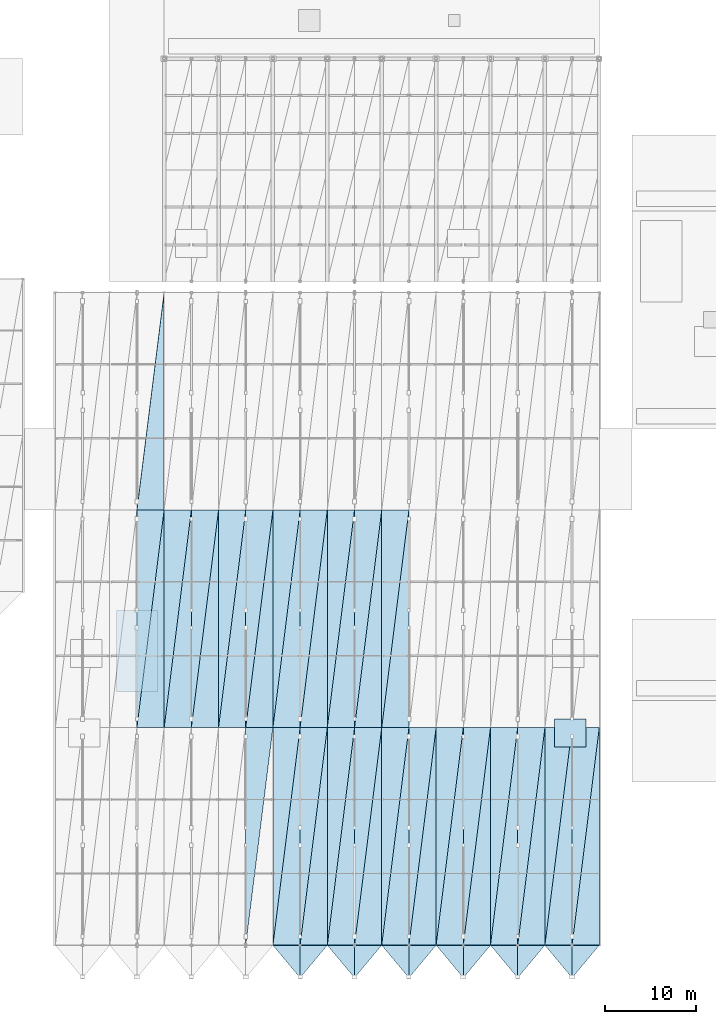
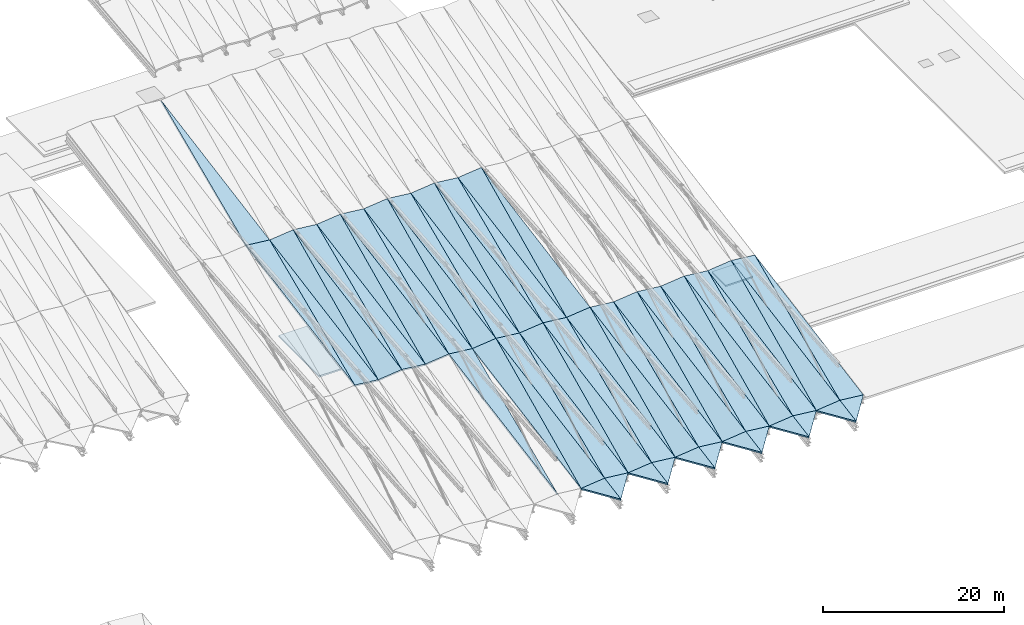
# One storey, part 20 of 52: 60 slabs.
"""IFC4 building model written with IfcOpenShell, lengths in metres."""

from ifc_helpers import new_model, si_unit, direction, frame, origin, place, context, subcontext, project, spatial, polyline, outline, extrude, material, layer, layer_set, type_object, element, save


model = new_model("IFC4")

# Units and contexts
model_context = context("Model", 3, precision=1e-05, world=origin(), true_north=direction((0.0, 1.0)))
body_context = subcontext(model_context, "Body", "Model", "MODEL_VIEW")
ifc_project = project(units=[si_unit("LENGTHUNIT", "METRE"), si_unit("AREAUNIT", "SQUARE_METRE"), si_unit("VOLUMEUNIT", "CUBIC_METRE"), si_unit("PLANEANGLEUNIT", "RADIAN"), si_unit("MASSUNIT", "GRAM", prefix="KILO")], contexts=[model_context])

# Site, building, storey
site_placement = place(None, origin())
site = spatial("IfcSite", under=ifc_project, at=site_placement, CompositionType="ELEMENT")
building_placement = place(site_placement, origin())
building = spatial("IfcBuilding", under=site, at=building_placement, Name="Vaelkrest Opera House", CompositionType="ELEMENT")
storey_placement = place(building_placement, frame((0.0, 0.0, 41.39990234375)))
storey = spatial("IfcBuildingStorey", under=building, at=storey_placement, Name="ROOF", CompositionType="ELEMENT", Elevation=41.39990234375)

# Slabs
ifc_material = material(Name="Concrete C40/50", Category="concrete")
ifc_layer_1 = layer(ifc_material, 0.235107421875)
ifc_layer_set_1 = layer_set([ifc_layer_1], Name="Concrete C40/50")
slab_type_1 = type_object("IfcSlabType", Name="RS01", PredefinedType="ROOF", material=ifc_layer_set_1)
slab_1_placement = place(storey_placement, frame((-21.0, -31.800048828125, -11.583984375), z_axis=(0.105709410569, -0.175053827978, 0.978867548664), x_axis=(0.994219425712, 0.0, -0.107367283359)))
element("IfcSlab", 1, at=slab_1_placement, inside=storey, type_object=slab_type_1, Name="Pleated roof facet V1 2-2EL", PredefinedType="ROOF", context=body_context, shape_type="SweptSolid", body=[
    extrude(outline(polyline([(0.0, 0.0), (3.0174425508234095, 0.0), (2.55662300945172, 24.376399288817264), (0.0, 0.0)])), origin(), (0.0, 0.0, -1.0), 0.235107421875),
])
slab_2_placement = place(storey_placement, frame((-21.0, -31.800048828125, -11.583984375), z_axis=(0.105709410569, -0.175053827978, 0.978867548664), x_axis=(0.122398504974, 0.979188039796, 0.161893139758)))
element("IfcSlab", 2, at=slab_2_placement, inside=storey, type_object=slab_type_1, Name="Pleated roof facet V1 2-2EU", PredefinedType="ROOF", context=body_context, shape_type="SweptSolid", body=[
    extrude(outline(polyline([(0.0, 0.0), (24.51010329436229, -3.3306690738754696e-16), (24.195357046152544, 3.0009822303301914), (0.0, 0.0)])), origin(), (0.0, 0.0, -1.0), 0.235107421875),
])
slab_3_placement = place(storey_placement, frame((-21.0, -7.800048828125, -7.2919921875), z_axis=(0.105709410569, -0.175053827978, 0.978867548664), x_axis=(0.994219425712, 0.0, -0.107367283359)))
element("IfcSlab", 3, at=slab_3_placement, inside=storey, type_object=slab_type_1, Name="Pleated roof facet V1 2-3EL", PredefinedType="ROOF", context=body_context, shape_type="SweptSolid", body=[
    extrude(outline(polyline([(0.0, 0.0), (3.0174425508234095, 0.0), (2.55662300945172, 24.376399288817264), (0.0, 0.0)])), origin(), (0.0, 0.0, -1.0), 0.235107421875),
])
slab_4_placement = place(storey_placement, frame((-18.0, -31.800048828125, -11.907958984375), z_axis=(-0.105709410569, -0.175053827978, 0.978867548664), x_axis=(0.994219425712, 0.0, 0.107367283359)))
element("IfcSlab", 4, at=slab_4_placement, inside=storey, type_object=slab_type_1, Name="Pleated roof facet V1 3-2WL", PredefinedType="ROOF", context=body_context, shape_type="SweptSolid", body=[
    extrude(outline(polyline([(0.0, 0.0), (3.0174425508234095, 0.0), (3.4782620921950986, 24.376399288817268), (0.0, 0.0)])), origin(), (0.0, 0.0, -1.0), 0.235107421875),
])
slab_5_placement = place(storey_placement, frame((-18.0, -31.800048828125, -11.907958984375), z_axis=(-0.105709410569, -0.175053827978, 0.978867548664), x_axis=(0.121835797394, 0.974686379149, 0.187463331813)))
element("IfcSlab", 5, at=slab_5_placement, inside=storey, type_object=slab_type_1, Name="Pleated roof facet V1 3-2WU", PredefinedType="ROOF", context=body_context, shape_type="SweptSolid", body=[
    extrude(outline(polyline([(0.0, 0.0), (24.623305007042667, 4.440892098500626e-16), (24.197064255165383, 2.9871856937523606), (0.0, 0.0)])), origin(), (0.0, 0.0, -1.0), 0.235107421875),
])
slab_6_placement = place(storey_placement, frame((-15.0, -31.800048828125, -11.583984375), z_axis=(0.105709410569, -0.175053827978, 0.978867548664), x_axis=(0.994219425712, 0.0, -0.107367283359)))
element("IfcSlab", 6, at=slab_6_placement, inside=storey, type_object=slab_type_1, Name="Pleated roof facet V1 3-2EL", PredefinedType="ROOF", context=body_context, shape_type="SweptSolid", body=[
    extrude(outline(polyline([(0.0, 0.0), (3.0174425508234095, 0.0), (2.55662300945172, 24.376399288817264), (0.0, 0.0)])), origin(), (0.0, 0.0, -1.0), 0.235107421875),
])
for number, where, z_axis, x_axis, name in (
    (7, (-15.0, -31.800048828125, -11.583984375), (0.105709410569, -0.175053827978, 0.978867548664), (0.122398504974, 0.979188039796, 0.161893139758), "Pleated roof facet V1 3-2EU"),
    (8, (-9.0, -55.800048828125, -15.8759765625), (0.105709410569, -0.175053827978, 0.978867548664), (0.122398504974, 0.979188039796, 0.161893139758), "Pleated roof facet V1 4-1EU"),
):
    element("IfcSlab", number, at=place(storey_placement, frame(where, z_axis=z_axis, x_axis=x_axis)), inside=storey, type_object=slab_type_1, Name=name, PredefinedType="ROOF", context=body_context, shape_type="SweptSolid", body=[
        extrude(outline(polyline([(0.0, 0.0), (24.51010329436229, -3.3306690738754696e-16), (24.195357046152544, 3.0009822303301914), (0.0, 0.0)])), origin(), (0.0, 0.0, -1.0), 0.235107421875),
    ])
slab_7_placement = place(storey_placement, frame((-12.0, -31.800048828125, -11.907958984375), z_axis=(-0.105709410569, -0.175053827978, 0.978867548664), x_axis=(0.994219425712, 0.0, 0.107367283359)))
element("IfcSlab", 9, at=slab_7_placement, inside=storey, type_object=slab_type_1, Name="Pleated roof facet V1 4-2WL", PredefinedType="ROOF", context=body_context, shape_type="SweptSolid", body=[
    extrude(outline(polyline([(0.0, 0.0), (3.0174425508234095, 0.0), (3.4782620921950986, 24.376399288817268), (0.0, 0.0)])), origin(), (0.0, 0.0, -1.0), 0.235107421875),
])
slab_8_placement = place(storey_placement, frame((-12.0, -31.800048828125, -11.907958984375), z_axis=(-0.105709410569, -0.175053827978, 0.978867548664), x_axis=(0.121835797394, 0.974686379149, 0.187463331813)))
element("IfcSlab", 10, at=slab_8_placement, inside=storey, type_object=slab_type_1, Name="Pleated roof facet V1 4-2WU", PredefinedType="ROOF", context=body_context, shape_type="SweptSolid", body=[
    extrude(outline(polyline([(0.0, 0.0), (24.623305007042667, 4.440892098500626e-16), (24.197064255165383, 2.9871856937523606), (0.0, 0.0)])), origin(), (0.0, 0.0, -1.0), 0.235107421875),
])
slab_9_placement = place(storey_placement, frame((-9.0, -31.800048828125, -11.583984375), z_axis=(0.105709410569, -0.175053827978, 0.978867548664), x_axis=(0.994219425712, 0.0, -0.107367283359)))
element("IfcSlab", 11, at=slab_9_placement, inside=storey, type_object=slab_type_1, Name="Pleated roof facet V1 4-2EL", PredefinedType="ROOF", context=body_context, shape_type="SweptSolid", body=[
    extrude(outline(polyline([(0.0, 0.0), (3.0174425508234095, 0.0), (2.55662300945172, 24.376399288817264), (0.0, 0.0)])), origin(), (0.0, 0.0, -1.0), 0.235107421875),
])
slab_10_placement = place(storey_placement, frame((-9.0, -31.800048828125, -11.583984375), z_axis=(0.105709410569, -0.175053827978, 0.978867548664), x_axis=(0.122398504974, 0.979188039796, 0.161893139758)))
element("IfcSlab", 12, at=slab_10_placement, inside=storey, type_object=slab_type_1, Name="Pleated roof facet V1 4-2EU", PredefinedType="ROOF", context=body_context, shape_type="SweptSolid", body=[
    extrude(outline(polyline([(0.0, 0.0), (24.51010329436229, -3.3306690738754696e-16), (24.195357046152544, 3.0009822303301914), (0.0, 0.0)])), origin(), (0.0, 0.0, -1.0), 0.235107421875),
])
slab_11_placement = place(storey_placement, frame((-6.0, -55.800048828125, -16.199951171875), z_axis=(-0.105708050026, -0.175125083638, 0.978854950052), x_axis=(0.638711635196, -0.766422775144, -0.068143795064)))
element("IfcSlab", 13, at=slab_11_placement, inside=storey, type_object=slab_type_1, Name="Sawtooth eave facet V1 bay 5W", PredefinedType="ROOF", context=body_context, shape_type="SweptSolid", body=[
    extrude(outline(polyline([(0.0, 0.0), (4.696955299833145, -8.326672684688674e-17), (1.8940580462015932, 2.3489367094791396), (0.0, 0.0)])), origin(), (0.0, 0.0, -1.0), 0.235107421875),
])
slab_12_placement = place(storey_placement, frame((-3.0, -55.800048828125, -15.8759765625), z_axis=(0.105708050026, -0.175125083638, 0.978854950052), x_axis=(0.0, -0.984370170934, -0.176111801351)))
element("IfcSlab", 14, at=slab_12_placement, inside=storey, type_object=slab_type_1, Name="Sawtooth eave facet V1 bay 5E", PredefinedType="ROOF", context=body_context, shape_type="SweptSolid", body=[
    extrude(outline(polyline([(0.0, 0.0), (3.657011987887651, 0.0), (0.05705575204909795, 3.0169030790991282), (0.0, 0.0)])), origin(), (0.0, 0.0, -1.0), 0.235107421875),
])
slab_13_placement = place(storey_placement, frame((-6.0, -55.800048828125, -16.199951171875), z_axis=(-0.105709410569, -0.175053827978, 0.978867548664), x_axis=(0.994219425712, 0.0, 0.107367283359)))
element("IfcSlab", 15, at=slab_13_placement, inside=storey, type_object=slab_type_1, Name="Pleated roof facet V1 5-1WL", PredefinedType="ROOF", context=body_context, shape_type="SweptSolid", body=[
    extrude(outline(polyline([(0.0, 0.0), (3.0174425508234095, 0.0), (3.4782620921950986, 24.376399288817268), (0.0, 0.0)])), origin(), (0.0, 0.0, -1.0), 0.235107421875),
])
slab_14_placement = place(storey_placement, frame((-6.0, -55.800048828125, -16.199951171875), z_axis=(-0.105709410569, -0.175053827978, 0.978867548664), x_axis=(0.121835797394, 0.974686379149, 0.187463331813)))
element("IfcSlab", 16, at=slab_14_placement, inside=storey, type_object=slab_type_1, Name="Pleated roof facet V1 5-1WU", PredefinedType="ROOF", context=body_context, shape_type="SweptSolid", body=[
    extrude(outline(polyline([(0.0, 0.0), (24.623305007042667, 4.440892098500626e-16), (24.197064255165383, 2.9871856937523606), (0.0, 0.0)])), origin(), (0.0, 0.0, -1.0), 0.235107421875),
])
slab_15_placement = place(storey_placement, frame((-3.0, -55.800048828125, -15.8759765625), z_axis=(0.105709410569, -0.175053827978, 0.978867548664), x_axis=(0.994219425712, 0.0, -0.107367283359)))
element("IfcSlab", 17, at=slab_15_placement, inside=storey, type_object=slab_type_1, Name="Pleated roof facet V1 5-1EL", PredefinedType="ROOF", context=body_context, shape_type="SweptSolid", body=[
    extrude(outline(polyline([(0.0, 0.0), (3.0174425508234095, 0.0), (2.55662300945172, 24.376399288817264), (0.0, 0.0)])), origin(), (0.0, 0.0, -1.0), 0.235107421875),
])
slab_16_placement = place(storey_placement, frame((-3.0, -55.800048828125, -15.8759765625), z_axis=(0.105709410569, -0.175053827978, 0.978867548664), x_axis=(0.122398504974, 0.979188039796, 0.161893139758)))
element("IfcSlab", 18, at=slab_16_placement, inside=storey, type_object=slab_type_1, Name="Pleated roof facet V1 5-1EU", PredefinedType="ROOF", context=body_context, shape_type="SweptSolid", body=[
    extrude(outline(polyline([(0.0, 0.0), (24.51010329436229, -3.3306690738754696e-16), (24.195357046152544, 3.0009822303301914), (0.0, 0.0)])), origin(), (0.0, 0.0, -1.0), 0.235107421875),
])
slab_17_placement = place(storey_placement, frame((-6.0, -31.800048828125, -11.907958984375), z_axis=(-0.105709410569, -0.175053827978, 0.978867548664), x_axis=(0.994219425712, 0.0, 0.107367283359)))
element("IfcSlab", 19, at=slab_17_placement, inside=storey, type_object=slab_type_1, Name="Pleated roof facet V1 5-2WL", PredefinedType="ROOF", context=body_context, shape_type="SweptSolid", body=[
    extrude(outline(polyline([(0.0, 0.0), (3.0174425508234095, 0.0), (3.4782620921950986, 24.376399288817268), (0.0, 0.0)])), origin(), (0.0, 0.0, -1.0), 0.235107421875),
])
slab_18_placement = place(storey_placement, frame((-6.0, -31.800048828125, -11.907958984375), z_axis=(-0.105709410569, -0.175053827978, 0.978867548664), x_axis=(0.121835797394, 0.974686379149, 0.187463331813)))
element("IfcSlab", 20, at=slab_18_placement, inside=storey, type_object=slab_type_1, Name="Pleated roof facet V1 5-2WU", PredefinedType="ROOF", context=body_context, shape_type="SweptSolid", body=[
    extrude(outline(polyline([(0.0, 0.0), (24.623305007042667, 4.440892098500626e-16), (24.197064255165383, 2.9871856937523606), (0.0, 0.0)])), origin(), (0.0, 0.0, -1.0), 0.235107421875),
])
slab_19_placement = place(storey_placement, frame((-3.0, -31.800048828125, -11.583984375), z_axis=(0.105709410569, -0.175053827978, 0.978867548664), x_axis=(0.994219425712, 0.0, -0.107367283359)))
element("IfcSlab", 21, at=slab_19_placement, inside=storey, type_object=slab_type_1, Name="Pleated roof facet V1 5-2EL", PredefinedType="ROOF", context=body_context, shape_type="SweptSolid", body=[
    extrude(outline(polyline([(0.0, 0.0), (3.0174425508234095, 0.0), (2.55662300945172, 24.376399288817264), (0.0, 0.0)])), origin(), (0.0, 0.0, -1.0), 0.235107421875),
])
slab_20_placement = place(storey_placement, frame((-3.0, -31.800048828125, -11.583984375), z_axis=(0.105709410569, -0.175053827978, 0.978867548664), x_axis=(0.122398504974, 0.979188039796, 0.161893139758)))
element("IfcSlab", 22, at=slab_20_placement, inside=storey, type_object=slab_type_1, Name="Pleated roof facet V1 5-2EU", PredefinedType="ROOF", context=body_context, shape_type="SweptSolid", body=[
    extrude(outline(polyline([(0.0, 0.0), (24.51010329436229, -3.3306690738754696e-16), (24.195357046152544, 3.0009822303301914), (0.0, 0.0)])), origin(), (0.0, 0.0, -1.0), 0.235107421875),
])
slab_21_placement = place(storey_placement, frame((0.0, -55.800048828125, -16.199951171875), z_axis=(-0.105708050026, -0.175125083638, 0.978854950052), x_axis=(0.638711635196, -0.766422775144, -0.068143795064)))
element("IfcSlab", 23, at=slab_21_placement, inside=storey, type_object=slab_type_1, Name="Sawtooth eave facet V1 bay 6W", PredefinedType="ROOF", context=body_context, shape_type="SweptSolid", body=[
    extrude(outline(polyline([(0.0, 0.0), (4.696955299833145, -8.326672684688674e-17), (1.8940580462015932, 2.3489367094791396), (0.0, 0.0)])), origin(), (0.0, 0.0, -1.0), 0.235107421875),
])
slab_22_placement = place(storey_placement, frame((3.0, -55.800048828125, -15.8759765625), z_axis=(0.105708050026, -0.175125083638, 0.978854950052), x_axis=(0.0, -0.984370170934, -0.176111801351)))
element("IfcSlab", 24, at=slab_22_placement, inside=storey, type_object=slab_type_1, Name="Sawtooth eave facet V1 bay 6E", PredefinedType="ROOF", context=body_context, shape_type="SweptSolid", body=[
    extrude(outline(polyline([(0.0, 0.0), (3.657011987887651, 0.0), (0.05705575204909795, 3.0169030790991282), (0.0, 0.0)])), origin(), (0.0, 0.0, -1.0), 0.235107421875),
])
slab_23_placement = place(storey_placement, frame((0.0, -55.800048828125, -16.199951171875), z_axis=(-0.105709410569, -0.175053827978, 0.978867548664), x_axis=(0.994219425712, 0.0, 0.107367283359)))
element("IfcSlab", 25, at=slab_23_placement, inside=storey, type_object=slab_type_1, Name="Pleated roof facet V1 6-1WL", PredefinedType="ROOF", context=body_context, shape_type="SweptSolid", body=[
    extrude(outline(polyline([(0.0, 0.0), (3.0174425508234095, 0.0), (3.4782620921950986, 24.376399288817268), (0.0, 0.0)])), origin(), (0.0, 0.0, -1.0), 0.235107421875),
])
slab_24_placement = place(storey_placement, frame((0.0, -55.800048828125, -16.199951171875), z_axis=(-0.105709410569, -0.175053827978, 0.978867548664), x_axis=(0.121835797394, 0.974686379149, 0.187463331813)))
element("IfcSlab", 26, at=slab_24_placement, inside=storey, type_object=slab_type_1, Name="Pleated roof facet V1 6-1WU", PredefinedType="ROOF", context=body_context, shape_type="SweptSolid", body=[
    extrude(outline(polyline([(0.0, 0.0), (24.623305007042667, 4.440892098500626e-16), (24.197064255165383, 2.9871856937523606), (0.0, 0.0)])), origin(), (0.0, 0.0, -1.0), 0.235107421875),
])
slab_25_placement = place(storey_placement, frame((3.0, -55.800048828125, -15.8759765625), z_axis=(0.105709410569, -0.175053827978, 0.978867548664), x_axis=(0.994219425712, 0.0, -0.107367283359)))
element("IfcSlab", 27, at=slab_25_placement, inside=storey, type_object=slab_type_1, Name="Pleated roof facet V1 6-1EL", PredefinedType="ROOF", context=body_context, shape_type="SweptSolid", body=[
    extrude(outline(polyline([(0.0, 0.0), (3.0174425508234095, 0.0), (2.55662300945172, 24.376399288817264), (0.0, 0.0)])), origin(), (0.0, 0.0, -1.0), 0.235107421875),
])
slab_26_placement = place(storey_placement, frame((3.0, -55.800048828125, -15.8759765625), z_axis=(0.105709410569, -0.175053827978, 0.978867548664), x_axis=(0.122398504974, 0.979188039796, 0.161893139758)))
element("IfcSlab", 28, at=slab_26_placement, inside=storey, type_object=slab_type_1, Name="Pleated roof facet V1 6-1EU", PredefinedType="ROOF", context=body_context, shape_type="SweptSolid", body=[
    extrude(outline(polyline([(0.0, 0.0), (24.51010329436229, -3.3306690738754696e-16), (24.195357046152544, 3.0009822303301914), (0.0, 0.0)])), origin(), (0.0, 0.0, -1.0), 0.235107421875),
])
slab_27_placement = place(storey_placement, frame((0.0, -31.800048828125, -11.907958984375), z_axis=(-0.105709410569, -0.175053827978, 0.978867548664), x_axis=(0.994219425712, 0.0, 0.107367283359)))
element("IfcSlab", 29, at=slab_27_placement, inside=storey, type_object=slab_type_1, Name="Pleated roof facet V1 6-2WL", PredefinedType="ROOF", context=body_context, shape_type="SweptSolid", body=[
    extrude(outline(polyline([(0.0, 0.0), (3.0174425508234095, 0.0), (3.4782620921950986, 24.376399288817268), (0.0, 0.0)])), origin(), (0.0, 0.0, -1.0), 0.235107421875),
])
slab_28_placement = place(storey_placement, frame((0.0, -31.800048828125, -11.907958984375), z_axis=(-0.105709410569, -0.175053827978, 0.978867548664), x_axis=(0.121835797394, 0.974686379149, 0.187463331813)))
element("IfcSlab", 30, at=slab_28_placement, inside=storey, type_object=slab_type_1, Name="Pleated roof facet V1 6-2WU", PredefinedType="ROOF", context=body_context, shape_type="SweptSolid", body=[
    extrude(outline(polyline([(0.0, 0.0), (24.623305007042667, 4.440892098500626e-16), (24.197064255165383, 2.9871856937523606), (0.0, 0.0)])), origin(), (0.0, 0.0, -1.0), 0.235107421875),
])
slab_29_placement = place(storey_placement, frame((3.0, -31.800048828125, -11.583984375), z_axis=(0.105709410569, -0.175053827978, 0.978867548664), x_axis=(0.994219425712, 0.0, -0.107367283359)))
element("IfcSlab", 31, at=slab_29_placement, inside=storey, type_object=slab_type_1, Name="Pleated roof facet V1 6-2EL", PredefinedType="ROOF", context=body_context, shape_type="SweptSolid", body=[
    extrude(outline(polyline([(0.0, 0.0), (3.0174425508234095, 0.0), (2.55662300945172, 24.376399288817264), (0.0, 0.0)])), origin(), (0.0, 0.0, -1.0), 0.235107421875),
])
slab_30_placement = place(storey_placement, frame((3.0, -31.800048828125, -11.583984375), z_axis=(0.105709410569, -0.175053827978, 0.978867548664), x_axis=(0.122398504974, 0.979188039796, 0.161893139758)))
element("IfcSlab", 32, at=slab_30_placement, inside=storey, type_object=slab_type_1, Name="Pleated roof facet V1 6-2EU", PredefinedType="ROOF", context=body_context, shape_type="SweptSolid", body=[
    extrude(outline(polyline([(0.0, 0.0), (24.51010329436229, -3.3306690738754696e-16), (24.195357046152544, 3.0009822303301914), (0.0, 0.0)])), origin(), (0.0, 0.0, -1.0), 0.235107421875),
])
slab_31_placement = place(storey_placement, frame((6.0, -55.800048828125, -16.199951171875), z_axis=(-0.105708050026, -0.175125083638, 0.978854950052), x_axis=(0.638711635196, -0.766422775144, -0.068143795064)))
element("IfcSlab", 33, at=slab_31_placement, inside=storey, type_object=slab_type_1, Name="Sawtooth eave facet V1 bay 7W", PredefinedType="ROOF", context=body_context, shape_type="SweptSolid", body=[
    extrude(outline(polyline([(0.0, 0.0), (4.696955299833145, -8.326672684688674e-17), (1.8940580462015932, 2.3489367094791396), (0.0, 0.0)])), origin(), (0.0, 0.0, -1.0), 0.235107421875),
])
slab_32_placement = place(storey_placement, frame((9.0, -55.800048828125, -15.8759765625), z_axis=(0.105708050026, -0.175125083638, 0.978854950052), x_axis=(0.0, -0.984370170934, -0.176111801351)))
element("IfcSlab", 34, at=slab_32_placement, inside=storey, type_object=slab_type_1, Name="Sawtooth eave facet V1 bay 7E", PredefinedType="ROOF", context=body_context, shape_type="SweptSolid", body=[
    extrude(outline(polyline([(0.0, 0.0), (3.657011987887651, 0.0), (0.05705575204909795, 3.0169030790991282), (0.0, 0.0)])), origin(), (0.0, 0.0, -1.0), 0.235107421875),
])
slab_33_placement = place(storey_placement, frame((6.0, -55.800048828125, -16.199951171875), z_axis=(-0.105709410569, -0.175053827978, 0.978867548664), x_axis=(0.994219425712, 0.0, 0.107367283359)))
element("IfcSlab", 35, at=slab_33_placement, inside=storey, type_object=slab_type_1, Name="Pleated roof facet V1 7-1WL", PredefinedType="ROOF", context=body_context, shape_type="SweptSolid", body=[
    extrude(outline(polyline([(0.0, 0.0), (3.0174425508234095, 0.0), (3.4782620921950986, 24.376399288817268), (0.0, 0.0)])), origin(), (0.0, 0.0, -1.0), 0.235107421875),
])
slab_34_placement = place(storey_placement, frame((6.0, -55.800048828125, -16.199951171875), z_axis=(-0.105709410569, -0.175053827978, 0.978867548664), x_axis=(0.121835797394, 0.974686379149, 0.187463331813)))
element("IfcSlab", 36, at=slab_34_placement, inside=storey, type_object=slab_type_1, Name="Pleated roof facet V1 7-1WU", PredefinedType="ROOF", context=body_context, shape_type="SweptSolid", body=[
    extrude(outline(polyline([(0.0, 0.0), (24.623305007042667, 4.440892098500626e-16), (24.197064255165383, 2.9871856937523606), (0.0, 0.0)])), origin(), (0.0, 0.0, -1.0), 0.235107421875),
])
slab_35_placement = place(storey_placement, frame((9.0, -55.800048828125, -15.8759765625), z_axis=(0.105709410569, -0.175053827978, 0.978867548664), x_axis=(0.994219425712, 0.0, -0.107367283359)))
element("IfcSlab", 37, at=slab_35_placement, inside=storey, type_object=slab_type_1, Name="Pleated roof facet V1 7-1EL", PredefinedType="ROOF", context=body_context, shape_type="SweptSolid", body=[
    extrude(outline(polyline([(0.0, 0.0), (3.0174425508234095, 0.0), (2.55662300945172, 24.376399288817264), (0.0, 0.0)])), origin(), (0.0, 0.0, -1.0), 0.235107421875),
])
slab_36_placement = place(storey_placement, frame((9.0, -55.800048828125, -15.8759765625), z_axis=(0.105709410569, -0.175053827978, 0.978867548664), x_axis=(0.122398504974, 0.979188039796, 0.161893139758)))
element("IfcSlab", 38, at=slab_36_placement, inside=storey, type_object=slab_type_1, Name="Pleated roof facet V1 7-1EU", PredefinedType="ROOF", context=body_context, shape_type="SweptSolid", body=[
    extrude(outline(polyline([(0.0, 0.0), (24.51010329436229, -3.3306690738754696e-16), (24.195357046152544, 3.0009822303301914), (0.0, 0.0)])), origin(), (0.0, 0.0, -1.0), 0.235107421875),
])
slab_37_placement = place(storey_placement, frame((6.0, -31.800048828125, -11.907958984375), z_axis=(-0.105709410569, -0.175053827978, 0.978867548664), x_axis=(0.994219425712, 0.0, 0.107367283359)))
element("IfcSlab", 39, at=slab_37_placement, inside=storey, type_object=slab_type_1, Name="Pleated roof facet V1 7-2WL", PredefinedType="ROOF", context=body_context, shape_type="SweptSolid", body=[
    extrude(outline(polyline([(0.0, 0.0), (3.0174425508234095, 0.0), (3.4782620921950986, 24.376399288817268), (0.0, 0.0)])), origin(), (0.0, 0.0, -1.0), 0.235107421875),
])
slab_38_placement = place(storey_placement, frame((6.0, -31.800048828125, -11.907958984375), z_axis=(-0.105709410569, -0.175053827978, 0.978867548664), x_axis=(0.121835797394, 0.974686379149, 0.187463331813)))
element("IfcSlab", 40, at=slab_38_placement, inside=storey, type_object=slab_type_1, Name="Pleated roof facet V1 7-2WU", PredefinedType="ROOF", context=body_context, shape_type="SweptSolid", body=[
    extrude(outline(polyline([(0.0, 0.0), (24.623305007042667, 4.440892098500626e-16), (24.197064255165383, 2.9871856937523606), (0.0, 0.0)])), origin(), (0.0, 0.0, -1.0), 0.235107421875),
])
slab_39_placement = place(storey_placement, frame((12.0, -55.800048828125, -16.199951171875), z_axis=(-0.105708050026, -0.175125083638, 0.978854950052), x_axis=(0.638711635196, -0.766422775144, -0.068143795064)))
element("IfcSlab", 41, at=slab_39_placement, inside=storey, type_object=slab_type_1, Name="Sawtooth eave facet V1 bay 8W", PredefinedType="ROOF", context=body_context, shape_type="SweptSolid", body=[
    extrude(outline(polyline([(0.0, 0.0), (4.696955299833145, -8.326672684688674e-17), (1.8940580462015932, 2.3489367094791396), (0.0, 0.0)])), origin(), (0.0, 0.0, -1.0), 0.235107421875),
])
slab_40_placement = place(storey_placement, frame((15.0, -55.800048828125, -15.8759765625), z_axis=(0.105708050026, -0.175125083638, 0.978854950052), x_axis=(0.0, -0.984370170934, -0.176111801351)))
element("IfcSlab", 42, at=slab_40_placement, inside=storey, type_object=slab_type_1, Name="Sawtooth eave facet V1 bay 8E", PredefinedType="ROOF", context=body_context, shape_type="SweptSolid", body=[
    extrude(outline(polyline([(0.0, 0.0), (3.657011987887651, 0.0), (0.05705575204909795, 3.0169030790991282), (0.0, 0.0)])), origin(), (0.0, 0.0, -1.0), 0.235107421875),
])
slab_41_placement = place(storey_placement, frame((12.0, -55.800048828125, -16.199951171875), z_axis=(-0.105709410569, -0.175053827978, 0.978867548664), x_axis=(0.994219425712, 0.0, 0.107367283359)))
element("IfcSlab", 43, at=slab_41_placement, inside=storey, type_object=slab_type_1, Name="Pleated roof facet V1 8-1WL", PredefinedType="ROOF", context=body_context, shape_type="SweptSolid", body=[
    extrude(outline(polyline([(0.0, 0.0), (3.0174425508234095, 0.0), (3.4782620921950986, 24.376399288817268), (0.0, 0.0)])), origin(), (0.0, 0.0, -1.0), 0.235107421875),
])
slab_42_placement = place(storey_placement, frame((12.0, -55.800048828125, -16.199951171875), z_axis=(-0.105709410569, -0.175053827978, 0.978867548664), x_axis=(0.121835797394, 0.974686379149, 0.187463331813)))
element("IfcSlab", 44, at=slab_42_placement, inside=storey, type_object=slab_type_1, Name="Pleated roof facet V1 8-1WU", PredefinedType="ROOF", context=body_context, shape_type="SweptSolid", body=[
    extrude(outline(polyline([(0.0, 0.0), (24.623305007042667, 4.440892098500626e-16), (24.197064255165383, 2.9871856937523606), (0.0, 0.0)])), origin(), (0.0, 0.0, -1.0), 0.235107421875),
])
slab_43_placement = place(storey_placement, frame((15.0, -55.800048828125, -15.8759765625), z_axis=(0.105709410569, -0.175053827978, 0.978867548664), x_axis=(0.994219425712, 0.0, -0.107367283359)))
element("IfcSlab", 45, at=slab_43_placement, inside=storey, type_object=slab_type_1, Name="Pleated roof facet V1 8-1EL", PredefinedType="ROOF", context=body_context, shape_type="SweptSolid", body=[
    extrude(outline(polyline([(0.0, 0.0), (3.0174425508234095, 0.0), (2.55662300945172, 24.376399288817264), (0.0, 0.0)])), origin(), (0.0, 0.0, -1.0), 0.235107421875),
])
slab_44_placement = place(storey_placement, frame((15.0, -55.800048828125, -15.8759765625), z_axis=(0.105709410569, -0.175053827978, 0.978867548664), x_axis=(0.122398504974, 0.979188039796, 0.161893139758)))
element("IfcSlab", 46, at=slab_44_placement, inside=storey, type_object=slab_type_1, Name="Pleated roof facet V1 8-1EU", PredefinedType="ROOF", context=body_context, shape_type="SweptSolid", body=[
    extrude(outline(polyline([(0.0, 0.0), (24.51010329436229, -3.3306690738754696e-16), (24.195357046152544, 3.0009822303301914), (0.0, 0.0)])), origin(), (0.0, 0.0, -1.0), 0.235107421875),
])
slab_45_placement = place(storey_placement, frame((18.0, -55.800048828125, -16.199951171875), z_axis=(-0.105708050026, -0.175125083638, 0.978854950052), x_axis=(0.638711635196, -0.766422775144, -0.068143795064)))
element("IfcSlab", 47, at=slab_45_placement, inside=storey, type_object=slab_type_1, Name="Sawtooth eave facet V1 bay 9W", PredefinedType="ROOF", context=body_context, shape_type="SweptSolid", body=[
    extrude(outline(polyline([(0.0, 0.0), (4.696955299833145, -8.326672684688674e-17), (1.8940580462015932, 2.3489367094791396), (0.0, 0.0)])), origin(), (0.0, 0.0, -1.0), 0.235107421875),
])
slab_46_placement = place(storey_placement, frame((21.0, -55.800048828125, -15.8759765625), z_axis=(0.105708050026, -0.175125083638, 0.978854950052), x_axis=(0.0, -0.984370170934, -0.176111801351)))
element("IfcSlab", 48, at=slab_46_placement, inside=storey, type_object=slab_type_1, Name="Sawtooth eave facet V1 bay 9E", PredefinedType="ROOF", context=body_context, shape_type="SweptSolid", body=[
    extrude(outline(polyline([(0.0, 0.0), (3.657011987887651, 0.0), (0.05705575204909795, 3.0169030790991282), (0.0, 0.0)])), origin(), (0.0, 0.0, -1.0), 0.235107421875),
])
slab_47_placement = place(storey_placement, frame((18.0, -55.800048828125, -16.199951171875), z_axis=(-0.105709410569, -0.175053827978, 0.978867548664), x_axis=(0.994219425712, 0.0, 0.107367283359)))
element("IfcSlab", 49, at=slab_47_placement, inside=storey, type_object=slab_type_1, Name="Pleated roof facet V1 9-1WL", PredefinedType="ROOF", context=body_context, shape_type="SweptSolid", body=[
    extrude(outline(polyline([(0.0, 0.0), (3.0174425508234095, 0.0), (3.4782620921950986, 24.376399288817268), (0.0, 0.0)])), origin(), (0.0, 0.0, -1.0), 0.235107421875),
])
slab_48_placement = place(storey_placement, frame((18.0, -55.800048828125, -16.199951171875), z_axis=(-0.105709410569, -0.175053827978, 0.978867548664), x_axis=(0.121835797394, 0.974686379149, 0.187463331813)))
element("IfcSlab", 50, at=slab_48_placement, inside=storey, type_object=slab_type_1, Name="Pleated roof facet V1 9-1WU", PredefinedType="ROOF", context=body_context, shape_type="SweptSolid", body=[
    extrude(outline(polyline([(0.0, 0.0), (24.623305007042667, 4.440892098500626e-16), (24.197064255165383, 2.9871856937523606), (0.0, 0.0)])), origin(), (0.0, 0.0, -1.0), 0.235107421875),
])
slab_49_placement = place(storey_placement, frame((21.0, -55.800048828125, -15.8759765625), z_axis=(0.105709410569, -0.175053827978, 0.978867548664), x_axis=(0.994219425712, 0.0, -0.107367283359)))
element("IfcSlab", 51, at=slab_49_placement, inside=storey, type_object=slab_type_1, Name="Pleated roof facet V1 9-1EL", PredefinedType="ROOF", context=body_context, shape_type="SweptSolid", body=[
    extrude(outline(polyline([(0.0, 0.0), (3.0174425508234095, 0.0), (2.55662300945172, 24.376399288817264), (0.0, 0.0)])), origin(), (0.0, 0.0, -1.0), 0.235107421875),
])
slab_50_placement = place(storey_placement, frame((21.0, -55.800048828125, -15.8759765625), z_axis=(0.105709410569, -0.175053827978, 0.978867548664), x_axis=(0.122398504974, 0.979188039796, 0.161893139758)))
element("IfcSlab", 52, at=slab_50_placement, inside=storey, type_object=slab_type_1, Name="Pleated roof facet V1 9-1EU", PredefinedType="ROOF", context=body_context, shape_type="SweptSolid", body=[
    extrude(outline(polyline([(0.0, 0.0), (24.51010329436229, -3.3306690738754696e-16), (24.195357046152544, 3.0009822303301914), (0.0, 0.0)])), origin(), (0.0, 0.0, -1.0), 0.235107421875),
])
slab_51_placement = place(storey_placement, frame((24.0, -55.800048828125, -16.199951171875), z_axis=(-0.105708050026, -0.175125083638, 0.978854950052), x_axis=(0.638711635196, -0.766422775144, -0.068143795064)))
element("IfcSlab", 53, at=slab_51_placement, inside=storey, type_object=slab_type_1, Name="Sawtooth eave facet V1 bay 10W", PredefinedType="ROOF", context=body_context, shape_type="SweptSolid", body=[
    extrude(outline(polyline([(0.0, 0.0), (4.696955299833145, -8.326672684688674e-17), (1.8940580462015932, 2.3489367094791396), (0.0, 0.0)])), origin(), (0.0, 0.0, -1.0), 0.235107421875),
])
slab_52_placement = place(storey_placement, frame((27.0, -55.800048828125, -15.8759765625), z_axis=(0.105708050026, -0.175125083638, 0.978854950052), x_axis=(0.0, -0.984370170934, -0.176111801351)))
element("IfcSlab", 54, at=slab_52_placement, inside=storey, type_object=slab_type_1, Name="Sawtooth eave facet V1 bay 10E", PredefinedType="ROOF", context=body_context, shape_type="SweptSolid", body=[
    extrude(outline(polyline([(0.0, 0.0), (3.657011987887651, 0.0), (0.05705575204909795, 3.0169030790991282), (0.0, 0.0)])), origin(), (0.0, 0.0, -1.0), 0.235107421875),
])
slab_53_placement = place(storey_placement, frame((24.0, -55.800048828125, -16.199951171875), z_axis=(-0.105709410569, -0.175053827978, 0.978867548664), x_axis=(0.994219425712, 0.0, 0.107367283359)))
element("IfcSlab", 55, at=slab_53_placement, inside=storey, type_object=slab_type_1, Name="Pleated roof facet V1 10-1WL", PredefinedType="ROOF", context=body_context, shape_type="SweptSolid", body=[
    extrude(outline(polyline([(0.0, 0.0), (3.0174425508234095, 0.0), (3.4782620921950986, 24.376399288817268), (0.0, 0.0)])), origin(), (0.0, 0.0, -1.0), 0.235107421875),
])
slab_54_placement = place(storey_placement, frame((24.0, -55.800048828125, -16.199951171875), z_axis=(-0.105709410569, -0.175053827978, 0.978867548664), x_axis=(0.121835797394, 0.974686379149, 0.187463331813)))
element("IfcSlab", 56, at=slab_54_placement, inside=storey, type_object=slab_type_1, Name="Pleated roof facet V1 10-1WU", PredefinedType="ROOF", context=body_context, shape_type="SweptSolid", body=[
    extrude(outline(polyline([(0.0, 0.0), (24.623305007042667, 4.440892098500626e-16), (24.197064255165383, 2.9871856937523606), (0.0, 0.0)])), origin(), (0.0, 0.0, -1.0), 0.235107421875),
])
slab_55_placement = place(storey_placement, frame((27.0, -55.800048828125, -15.8759765625), z_axis=(0.105709410569, -0.175053827978, 0.978867548664), x_axis=(0.994219425712, 0.0, -0.107367283359)))
element("IfcSlab", 57, at=slab_55_placement, inside=storey, type_object=slab_type_1, Name="Pleated roof facet V1 10-1EL", PredefinedType="ROOF", context=body_context, shape_type="SweptSolid", body=[
    extrude(outline(polyline([(0.0, 0.0), (3.0174425508234095, 0.0), (2.55662300945172, 24.376399288817264), (0.0, 0.0)])), origin(), (0.0, 0.0, -1.0), 0.235107421875),
])
slab_56_placement = place(storey_placement, frame((27.0, -55.800048828125, -15.8759765625), z_axis=(0.105709410569, -0.175053827978, 0.978867548664), x_axis=(0.122398504974, 0.979188039796, 0.161893139758)))
element("IfcSlab", 58, at=slab_56_placement, inside=storey, type_object=slab_type_1, Name="Pleated roof facet V1 10-1EU", PredefinedType="ROOF", context=body_context, shape_type="SweptSolid", body=[
    extrude(outline(polyline([(0.0, 0.0), (24.51010329436229, -3.3306690738754696e-16), (24.195357046152544, 3.0009822303301914), (0.0, 0.0)])), origin(), (0.0, 0.0, -1.0), 0.235107421875),
])
ifc_layer_2 = layer(ifc_material, 0.205078125)
ifc_layer_set_2 = layer_set([ifc_layer_2], Name="Concrete C40/50")
slab_type_2 = type_object("IfcSlabType", Name="RS06", PredefinedType="ROOF", material=ifc_layer_set_2)
slab_57_placement = place(storey_placement, frame((0.0, 0.0, -12.15478515625)))
element("IfcSlab", 59, at=slab_57_placement, inside=storey, type_object=slab_type_2, Name="Stair shaft cap slab ST01", PredefinedType="ROOF", context=body_context, shape_type="SweptSolid", body=[
    extrude(outline(polyline([(-23.25, -27.85009765625), (-18.64990234375, -27.85009765625), (-18.64990234375, -18.85009765625), (-23.25, -18.85009765625), (-23.25, -27.85009765625)])), origin(), (0.0, 0.0, 1.0), 0.204833984375),
])
slab_58_placement = place(storey_placement, frame((0.0, 0.0, -13.180908203125)))
element("IfcSlab", 60, at=slab_58_placement, inside=storey, type_object=slab_type_2, Name="Lift overrun slab LP04", PredefinedType="ROOF", context=body_context, shape_type="SweptSolid", body=[
    extrude(outline(polyline([(25.06005859375, -33.93994140625), (28.5400390625, -33.93994140625), (28.5400390625, -30.860107421875), (25.06005859375, -30.860107421875), (25.06005859375, -33.93994140625)])), origin(), (0.0, 0.0, 1.0), 0.205078125),
])

save(model, "model.ifc")
